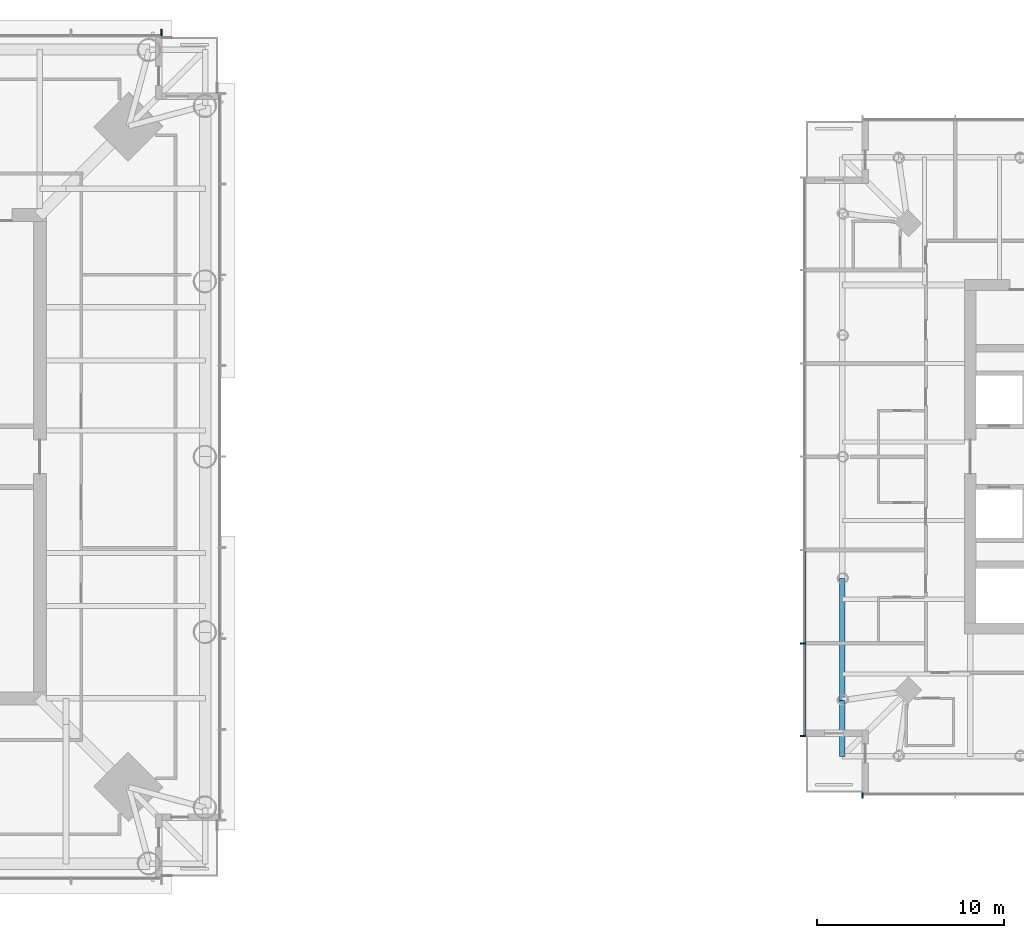
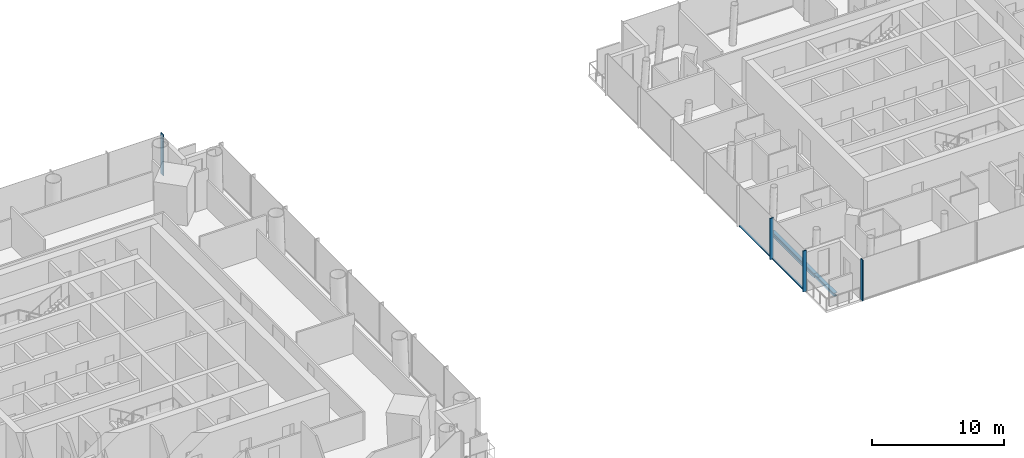
# One storey, part 4 of 27: 6 members, 2 beams, 3 elements without a shape of their own.
"""IFC4 building model written with IfcOpenShell, lengths in metres."""

from ifc_helpers import new_model, si_unit, direction, frame, origin, origin_2d, place, context, subcontext, project, spatial, rectangle, i_section, extrude, material, material_profile, profile_set, type_object, element, aggregate, save


model = new_model("IFC4")

# Units and contexts
model_context = context("Model", 3, precision=1e-05, world=origin(), true_north=direction((0.0, 1.0)))
body_context = subcontext(model_context, "Body", "Model", "MODEL_VIEW")
ifc_project = project(units=[si_unit("LENGTHUNIT", "METRE"), si_unit("AREAUNIT", "SQUARE_METRE"), si_unit("VOLUMEUNIT", "CUBIC_METRE"), si_unit("PLANEANGLEUNIT", "RADIAN"), si_unit("MASSUNIT", "GRAM", prefix="KILO")], contexts=[model_context])

# Site, building, storey
site_placement = place(None, origin())
site = spatial("IfcSite", under=ifc_project, at=site_placement, CompositionType="ELEMENT")
building_placement = place(site_placement, origin())
building = spatial("IfcBuilding", under=site, at=building_placement, Name="Ostroluk Exchange", CompositionType="ELEMENT")
storey_placement = place(building_placement, frame((0.0, 0.0, 89.39990234375)))
storey = spatial("IfcBuildingStorey", under=building, at=storey_placement, Name="L22", CompositionType="ELEMENT", Elevation=89.39990234375)

# Beams
ifc_material_1 = material(Name="Steel S355", Category="steel")
ifc_material_profile_1 = material_profile(ifc_material_1, i_section(OverallWidth=0.300048828125, OverallDepth=0.300048828125, WebThickness=0.010986328125, FlangeThickness=0.01904296875, FilletRadius=0.027099609375, at=origin_2d()), Name="HEB 300")
ifc_profile_set_1 = profile_set([ifc_material_profile_1], Name="Steel S355")
beam_type_1 = type_object("IfcBeamType", Name="Balcony beam HEB 300", PredefinedType="BEAM", material=ifc_profile_set_1)
beam_1_placement = place(storey_placement, frame((100.9482421875, 32.9482421875, -0.349853515625), z_axis=(0.0, -1.0, 0.0), x_axis=(1.0, 0.0, 0.0)))
element("IfcBeam", 1, at=beam_1_placement, inside=storey, type_object=beam_type_1, Name="T2 west balcony beam a", PredefinedType="BEAM", context=body_context, shape_type="SweptSolid", body=[
    extrude(i_section(OverallWidth=0.300048828125, OverallDepth=0.300048828125, WebThickness=0.010986328125, FlangeThickness=0.01904296875, FilletRadius=0.027099609375, at=origin_2d()), origin(), (0.0, 0.0, 1.0), 3.0),
])
ifc_material_2 = material(Name="Steel S355", Category="steel")
ifc_material_profile_2 = material_profile(ifc_material_2, i_section(OverallWidth=0.300048828125, OverallDepth=0.39990234375, WebThickness=0.013427734375, FlangeThickness=0.02392578125, FilletRadius=0.027099609375, at=origin_2d()), Name="HEB 400")
ifc_profile_set_2 = profile_set([ifc_material_profile_2], Name="Steel S355")
beam_type_2 = type_object("IfcBeamType", Name="Moment-connected edge beam HEB 400", PredefinedType="SPANDREL", material=ifc_profile_set_2)
beam_2_placement = place(storey_placement, frame((100.9482421875, 39.47412109375, -0.39990234375), z_axis=(0.0, -1.0, 0.0), x_axis=(1.0, 0.0, 0.0)))
element("IfcBeam", 2, at=beam_2_placement, inside=storey, type_object=beam_type_2, Name="T2 west edge beam 4", PredefinedType="SPANDREL", context=body_context, shape_type="SweptSolid", body=[
    extrude(i_section(OverallWidth=0.300048828125, OverallDepth=0.39990234375, WebThickness=0.013427734375, FlangeThickness=0.02392578125, FilletRadius=0.027099609375, at=origin_2d()), origin(), (0.0, 0.0, 1.0), 6.52587890625),
])

# Curtain wall, members
ifc_material_3 = material(Name="Laminated clear glass", Category="glass")
curtain_wall_type_1 = type_object("IfcCurtainWallType", Name="Hotel guest floor facade", PredefinedType="USERDEFINED", material=ifc_material_3)
curtain_wall_1_placement = place(storey_placement, origin())
curtain_wall_1 = element("IfcCurtainWall", 3, at=curtain_wall_1_placement, inside=storey, type_object=curtain_wall_type_1, Name="Hotel tower west facade L22", ObjectType="UNITISED CURTAIN WALL", PredefinedType="USERDEFINED")
ifc_material_4 = material(Name="Aluminium mullion", Category="aluminium")
ifc_material_profile_3 = material_profile(ifc_material_4, rectangle(XDim=0.14990234375, YDim=0.080078125, at=origin_2d()), Name="Sill transom 80 x 150")
ifc_profile_set_3 = profile_set([ifc_material_profile_3], Name="Aluminium mullion")
member_type_1 = type_object("IfcMemberType", Name="Sill transom 80 x 150", PredefinedType="USERDEFINED", material=ifc_profile_set_3)
member_1_placement = place(storey_placement, frame((98.925048828125, 40.9599609375, 0.0400390625), z_axis=(0.0, -1.0, 0.0), x_axis=(1.0, 0.0, 0.0)))
member_1 = element("IfcMember", 4, at=member_1_placement, type_object=member_type_1, Name="CW-H1 transom 5.1", ObjectType="TRANSOM", PredefinedType="USERDEFINED", context=body_context, shape_type="SweptSolid", body=[
    extrude(rectangle(XDim=0.14990234375, YDim=0.080078125, at=origin_2d()), origin(), (0.0, 0.0, 1.0), 4.919921875),
])
member_2_placement = place(storey_placement, frame((98.925048828125, 35.9599609375, 0.0400390625), z_axis=(0.0, -1.0, 0.0), x_axis=(1.0, 0.0, 0.0)))
member_2 = element("IfcMember", 5, at=member_2_placement, type_object=member_type_1, Name="CW-H1 transom 6.1", ObjectType="TRANSOM", PredefinedType="USERDEFINED", context=body_context, shape_type="SweptSolid", body=[
    extrude(rectangle(XDim=0.14990234375, YDim=0.080078125, at=origin_2d()), origin(), (0.0, 0.0, 1.0), 4.8798828125),
])

# Curtain wall, member
curtain_wall_2_placement = place(storey_placement, origin())
curtain_wall_2 = element("IfcCurtainWall", 6, at=curtain_wall_2_placement, inside=storey, type_object=curtain_wall_type_1, Name="Hotel tower south facade L22", ObjectType="UNITISED CURTAIN WALL", PredefinedType="USERDEFINED")
ifc_material_5 = material(Name="Aluminium mullion with limestone facing", Category="masonry")
ifc_material_profile_4 = material_profile(ifc_material_5, rectangle(XDim=0.300048828125, YDim=0.080078125, at=origin_2d()), Name="Tracery mullion 80 x 300")
ifc_profile_set_4 = profile_set([ifc_material_profile_4], Name="Aluminium mullion with limestone facing")
member_type_2 = type_object("IfcMemberType", Name="Tracery mullion 80 x 300", PredefinedType="MULLION", material=ifc_profile_set_4)
member_3_placement = place(storey_placement, frame((102.0400390625, 27.85009765625, 0.0), z_axis=(0.0, 0.0, 1.0), x_axis=(0.0, 1.0, 0.0)))
member_3 = element("IfcMember", 7, at=member_3_placement, type_object=member_type_2, Name="CW-H1 mullion 1", PredefinedType="MULLION", context=body_context, shape_type="SweptSolid", body=[
    extrude(rectangle(XDim=0.300048828125, YDim=0.080078125, at=origin_2d()), origin(), (0.0, 0.0, 1.0), 3.800048828125),
])
aggregate(curtain_wall_2, [member_3])

# Member
member_4_placement = place(storey_placement, frame((98.85009765625, 36.0, 0.0), z_axis=(0.0, 0.0, 1.0), x_axis=(1.0, 0.0, 0.0)))
member_4 = element("IfcMember", 8, at=member_4_placement, type_object=member_type_2, Name="CW-H1 mullion 6", PredefinedType="MULLION", context=body_context, shape_type="SweptSolid", body=[
    extrude(rectangle(XDim=0.300048828125, YDim=0.080078125, at=origin_2d()), origin(), (0.0, 0.0, 1.0), 3.800048828125),
])

member_5_placement = place(storey_placement, frame((98.85009765625, 31.0400390625, 0.0), z_axis=(0.0, 0.0, 1.0), x_axis=(1.0, 0.0, 0.0)))
member_5 = element("IfcMember", 9, at=member_5_placement, type_object=member_type_2, Name="CW-H1 mullion 7", PredefinedType="MULLION", context=body_context, shape_type="SweptSolid", body=[
    extrude(rectangle(XDim=0.300048828125, YDim=0.080078125, at=origin_2d()), origin(), (0.0, 0.0, 1.0), 3.800048828125),
])

aggregate(curtain_wall_1, [member_4, member_5, member_1, member_2])

# Curtain wall, member
ifc_material_6 = material(Name="Laminated clear glass", Category="glass")
curtain_wall_type_2 = type_object("IfcCurtainWallType", Name="Office tower plant and sky lobby facade", PredefinedType="USERDEFINED", material=ifc_material_6)
curtain_wall_3_placement = place(storey_placement, origin())
curtain_wall_3 = element("IfcCurtainWall", 10, at=curtain_wall_3_placement, inside=storey, type_object=curtain_wall_type_2, Name="Office tower north facade L22", ObjectType="LOUVRED CURTAIN WALL", PredefinedType="USERDEFINED")
ifc_material_7 = material(Name="Aluminium mullion with limestone facing", Category="masonry")
ifc_material_profile_5 = material_profile(ifc_material_7, rectangle(XDim=0.39990234375, YDim=0.080078125, at=origin_2d()), Name="Tracery mullion 80 x 400")
ifc_profile_set_5 = profile_set([ifc_material_profile_5], Name="Aluminium mullion with limestone facing")
member_type_3 = type_object("IfcMemberType", Name="Tracery mullion 80 x 400", PredefinedType="MULLION", material=ifc_profile_set_5)
member_6_placement = place(storey_placement, frame((64.4599609375, 68.699951171875, 0.0), z_axis=(0.0, 0.0, 1.0), x_axis=(0.0, -1.0, 0.0)))
member_6 = element("IfcMember", 11, at=member_6_placement, type_object=member_type_3, Name="CW-P1 mullion 1", PredefinedType="MULLION", context=body_context, shape_type="SweptSolid", body=[
    extrude(rectangle(XDim=0.39990234375, YDim=0.080078125, at=origin_2d()), origin(), (0.0, 0.0, 1.0), 3.800048828125),
])
aggregate(curtain_wall_3, [member_6])

save(model, "model.ifc")
